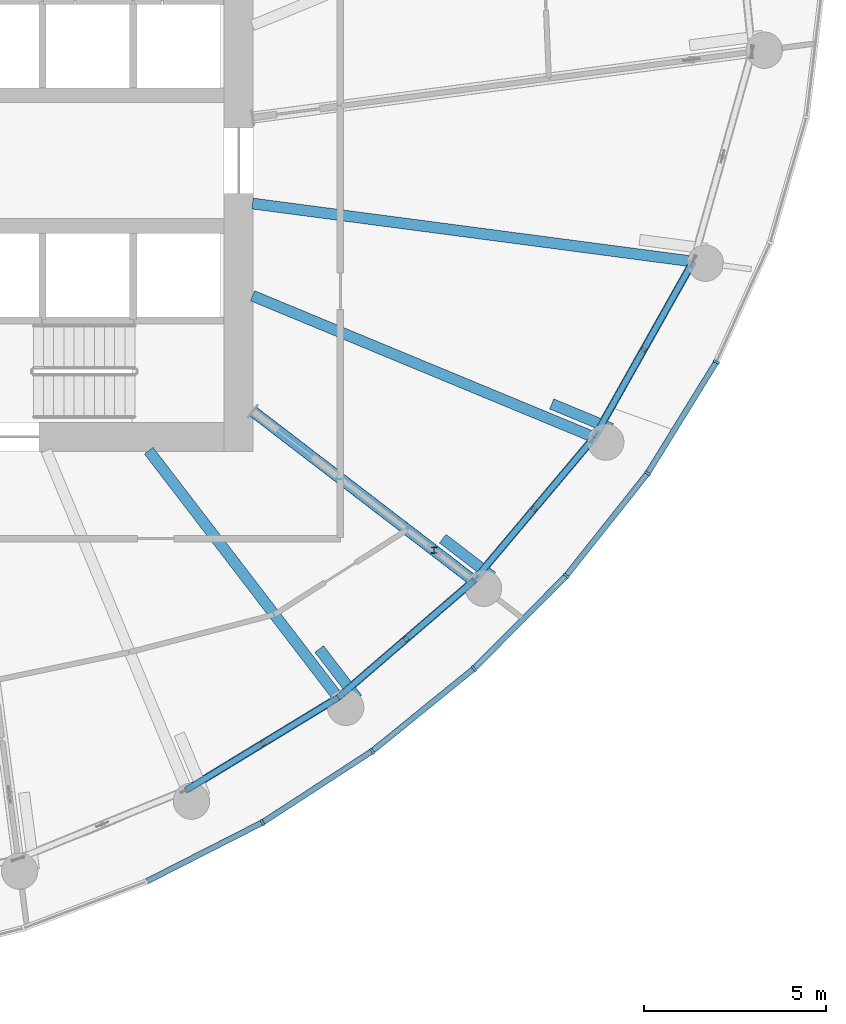
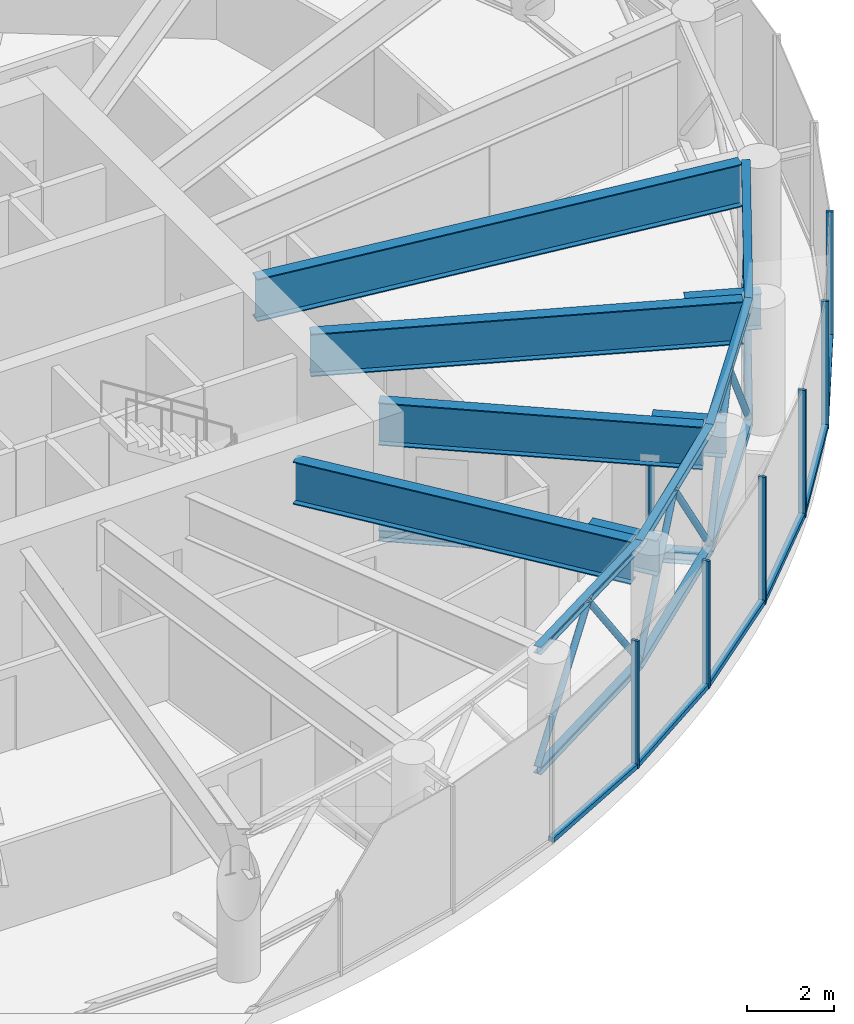
# One storey, part 6 of 25: 30 members, 7 beams, 2 elements without a shape of their own.
"""IFC4 building model written with IfcOpenShell, lengths in metres."""

from ifc_helpers import new_model, si_unit, direction, frame, origin, origin_2d, place, context, subcontext, project, spatial, rectangle, hollow_circle, i_section, extrude, source, transform, mapped, material, layer, layer_set, material_profile, profile_set, type_object, element, aggregate, save


model = new_model("IFC4")

# Units and contexts
model_context = context("Model", 3, precision=1e-05, world=origin(), true_north=direction((0.0, 1.0)))
body_context = subcontext(model_context, "Body", "Model", "MODEL_VIEW")
ifc_project = project(units=[si_unit("LENGTHUNIT", "METRE"), si_unit("AREAUNIT", "SQUARE_METRE"), si_unit("VOLUMEUNIT", "CUBIC_METRE"), si_unit("PLANEANGLEUNIT", "RADIAN"), si_unit("MASSUNIT", "GRAM", prefix="KILO")], contexts=[model_context])

# Site, building, storey
site_placement = place(None, origin())
site = spatial("IfcSite", under=ifc_project, at=site_placement, CompositionType="ELEMENT")
building_placement = place(site_placement, origin())
building = spatial("IfcBuilding", under=site, at=building_placement, Name="Spindrift Exchange Tower", CompositionType="ELEMENT")
storey_placement = place(building_placement, frame((0.0, 0.0, 179.89990234375)))
storey = spatial("IfcBuildingStorey", under=building, at=storey_placement, Name="L43", CompositionType="ELEMENT", Elevation=179.89990234375)

# Beams
ifc_material_1 = material(Name="Steel Grade 300", Category="steel")
ifc_material_profile_1 = material_profile(ifc_material_1, i_section(OverallWidth=0.300048828125, OverallDepth=1.199951171875, WebThickness=0.011962890625, FlangeThickness=0.028076171875, at=origin_2d()), Name="1200WB249")
ifc_profile_set_1 = profile_set([ifc_material_profile_1], Name="Steel Grade 300")
beam_type_1 = type_object("IfcBeamType", Name="Transfer Girder 1200WB249 Steel Grade 300", PredefinedType="BEAM", material=ifc_profile_set_1)
shared_shape_1 = source(origin(), body_context, "Body", "SweptSolid", [
    extrude(i_section(OverallWidth=0.300048828125, OverallDepth=1.199951171875, WebThickness=0.011962890625, FlangeThickness=0.028076171875, at=origin_2d()), origin(), (0.0, 0.0, 1.0), 8.419189453125),
])
beam_1_placement = place(storey_placement, frame((58.12646484375, 40.015869140625, 2.97998046875), z_axis=(0.608755970582, -0.79335752866, 0.0), x_axis=(0.79335752866, 0.608755970582, 0.0)))
element("IfcBeam", 1, at=beam_1_placement, inside=storey, type_object=beam_type_1, Name="L43 radial beam R21A", PredefinedType="BEAM", context=body_context, shape_type="MappedRepresentation", body=[
    mapped(shared_shape_1, transform((0.0, 0.0, 0.0), scale=1.0)),
])
shared_shape_2 = source(origin(), body_context, "Body", "SweptSolid", [
    extrude(i_section(OverallWidth=0.300048828125, OverallDepth=1.199951171875, WebThickness=0.011962890625, FlangeThickness=0.028076171875, at=origin_2d()), origin(), (0.0, 0.0, 1.0), 10.03857421875),
])
beam_2_placement = place(storey_placement, frame((60.9814453125, 44.27978515625, 2.97998046875), z_axis=(0.923880777638, -0.382680426349, 0.0), x_axis=(0.382680426349, 0.923880777638, 0.0)))
element("IfcBeam", 2, at=beam_2_placement, inside=storey, type_object=beam_type_1, Name="L43 radial beam R23A", PredefinedType="BEAM", context=body_context, shape_type="MappedRepresentation", body=[
    mapped(shared_shape_2, transform((0.0, 0.0, 0.0), scale=1.0)),
])
shared_shape_3 = source(origin(), body_context, "Body", "SweptSolid", [
    extrude(i_section(OverallWidth=0.300048828125, OverallDepth=1.199951171875, WebThickness=0.011962890625, FlangeThickness=0.028076171875, at=origin_2d()), origin(), (0.0, 0.0, 1.0), 12.088134765625),
])
beam_3_placement = place(storey_placement, frame((60.980224609375, 46.817626953125, 2.97998046875), z_axis=(0.991447007302, -0.130509891244, 0.0), x_axis=(0.130509891244, 0.991447007302, 0.0)))
element("IfcBeam", 3, at=beam_3_placement, inside=storey, type_object=beam_type_1, Name="L43 radial beam R24A", PredefinedType="BEAM", context=body_context, shape_type="MappedRepresentation", body=[
    mapped(shared_shape_3, transform((0.0, 0.0, 0.0), scale=1.0)),
])

# Member
ifc_material_profile_2 = material_profile(ifc_material_1, i_section(OverallWidth=0.154052734375, OverallDepth=0.162109375, WebThickness=0.008056640625, FlangeThickness=0.011474609375, FilletRadius=0.008056640625, at=origin_2d()), Name="150UC37.2")
ifc_profile_set_2 = profile_set([ifc_material_profile_2], Name="Steel Grade 300")
member_type_1 = type_object("IfcMemberType", Name="Outrigger Truss Post 150UC37.2 Steel Grade 300", PredefinedType="POST", material=ifc_profile_set_2)
shared_shape_4 = source(origin(), body_context, "Body", "SweptSolid", [
    extrude(i_section(OverallWidth=0.154052734375, OverallDepth=0.162109375, WebThickness=0.008056640625, FlangeThickness=0.011474609375, FilletRadius=0.008056640625, at=origin_2d()), origin(), (0.0, 0.0, 1.0), 2.380126953125),
])
member_1_placement = place(storey_placement, frame((65.970947265625, 37.27978515625, 0.0), z_axis=(0.0, 0.0, 1.0), x_axis=(1.0, 0.0, 0.0)))
element("IfcMember", 4, at=member_1_placement, inside=storey, type_object=member_type_1, Name="L43 outrigger truss 22 post 1", PredefinedType="POST", context=body_context, shape_type="MappedRepresentation", body=[
    mapped(shared_shape_4, transform((0.0, 0.0, 0.0), scale=1.0)),
])

# Beam
ifc_material_profile_3 = material_profile(ifc_material_1, i_section(OverallWidth=0.300048828125, OverallDepth=1.199951171875, WebThickness=0.011962890625, FlangeThickness=0.028076171875, at=origin_2d()), Name="1200WB249")
ifc_profile_set_3 = profile_set([ifc_material_profile_3], Name="Steel Grade 300")
beam_type_2 = type_object("IfcBeamType", Name="Outrigger Truss Transfer Girder 1200WB249 Steel Grade 300", PredefinedType="BEAM", material=ifc_profile_set_3)
shared_shape_5 = source(origin(), body_context, "Body", "SweptSolid", [
    extrude(i_section(OverallWidth=0.300048828125, OverallDepth=1.199951171875, WebThickness=0.011962890625, FlangeThickness=0.028076171875, at=origin_2d()), origin(), (0.0, 0.0, 1.0), 7.52685546875),
])
beam_4_placement = place(storey_placement, frame((60.984130859375, 41.106201171875, 2.97998046875), z_axis=(0.793354136078, -0.608760391918, 0.0), x_axis=(0.608760391918, 0.793354136078, 0.0)))
element("IfcBeam", 5, at=beam_4_placement, inside=storey, type_object=beam_type_2, Name="L43 outrigger truss 22 top chord 1", PredefinedType="BEAM", context=body_context, shape_type="MappedRepresentation", body=[
    mapped(shared_shape_5, transform((0.0, 0.0, 0.0), scale=1.0)),
])

# Members
ifc_material_profile_4 = material_profile(ifc_material_1, i_section(OverallWidth=0.306884765625, OverallDepth=0.31396484375, WebThickness=0.011962890625, FlangeThickness=0.018798828125, FilletRadius=0.0166015625, at=origin_2d()), Name="310UC118")
ifc_profile_set_4 = profile_set([ifc_material_profile_4], Name="Steel Grade 300")
member_type_2 = type_object("IfcMemberType", Name="Outrigger Truss Chord 310UC118 Steel Grade 300", PredefinedType="CHORD", material=ifc_profile_set_4)
shared_shape_6 = source(origin(), body_context, "Body", "SweptSolid", [
    extrude(i_section(OverallWidth=0.306884765625, OverallDepth=0.31396484375, WebThickness=0.011962890625, FlangeThickness=0.018798828125, FilletRadius=0.0166015625, at=origin_2d()), origin(), (0.0, 0.0, 1.0), 7.52685546875),
])
member_2_placement = place(storey_placement, frame((60.984130859375, 41.106201171875, -0.156982421875), z_axis=(0.793354136078, -0.608760391918, 0.0), x_axis=(0.608760391918, 0.793354136078, 0.0)))
element("IfcMember", 6, at=member_2_placement, inside=storey, type_object=member_type_2, Name="L43 outrigger truss 22 bottom chord 1", PredefinedType="CHORD", context=body_context, shape_type="MappedRepresentation", body=[
    mapped(shared_shape_6, transform((0.0, 0.0, 0.0), scale=1.0)),
])
ifc_material_profile_5 = material_profile(ifc_material_1, i_section(OverallWidth=0.205078125, OverallDepth=0.2099609375, WebThickness=0.00927734375, FlangeThickness=0.01416015625, FilletRadius=0.012939453125, at=origin_2d()), Name="200UC59.5")
ifc_profile_set_5 = profile_set([ifc_material_profile_5], Name="Steel Grade 300")
member_type_3 = type_object("IfcMemberType", Name="Belt Truss Chord 200UC59.5 Steel Grade 300", PredefinedType="CHORD", material=ifc_profile_set_5)
shared_shape_7 = source(origin(), body_context, "Body", "SweptSolid", [
    extrude(i_section(OverallWidth=0.205078125, OverallDepth=0.2099609375, WebThickness=0.00927734375, FlangeThickness=0.01416015625, FilletRadius=0.012939453125, at=origin_2d()), origin(), (0.0, 0.0, 1.0), 4.8779296875),
])
for number, where, z_axis, x_axis, name in (
    (7, (59.170654296875, 30.688232421875, 3.47509765625), (0.85409609272, 0.520115241462, 0.0), (-0.520115241462, 0.85409609272, 0.0), "L43 belt truss 20 top chord"),
    (8, (59.170654296875, 30.688232421875, 0.10498046875), (0.85409609272, 0.520115241462, 0.0), (-0.520115241462, 0.85409609272, 0.0), "L43 belt truss 20 bottom chord"),
):
    element("IfcMember", number, at=place(storey_placement, frame(where, z_axis=z_axis, x_axis=x_axis)), inside=storey, type_object=member_type_3, Name=name, PredefinedType="CHORD", context=body_context, shape_type="MappedRepresentation", body=[
        mapped(shared_shape_7, transform((0.0, 0.0, 0.0), scale=1.0)),
    ])
ifc_material_2 = material(Name="Steel Grade 350", Category="steel")
ifc_material_profile_6 = material_profile(ifc_material_2, hollow_circle(Radius=0.084228515625, WallThickness=0.007080078125, at=origin_2d()), Name="168.3x7.1CHS")
ifc_profile_set_6 = profile_set([ifc_material_profile_6], Name="Steel Grade 350")
member_type_4 = type_object("IfcMemberType", Name="Belt Truss Diagonal 168.3x7.1CHS Steel Grade 350", PredefinedType="BRACE", material=ifc_profile_set_6)
shared_shape_8 = source(origin(), body_context, "Body", "SweptSolid", [
    extrude(hollow_circle(Radius=0.084228515625, WallThickness=0.007080078125, at=origin_2d()), origin(), (0.0, 0.0, 1.0), 3.99169921875),
])
for number, where, z_axis, x_axis, name in (
    (9, (59.170654296875, 30.688232421875, 0.210205078125), (0.521886991367, 0.317792664613, 0.791607093551), (-0.520093008791, 0.854109631257, 0.0), "L43 belt truss 20 diagonal 1"),
    (10, (61.25390625, 31.956787109375, 3.3701171875), (0.5218424864, 0.317802808173, -0.791632360698), (-0.520137475681, 0.854082552446, 0.0), "L43 belt truss 20 diagonal 2"),
):
    element("IfcMember", number, at=place(storey_placement, frame(where, z_axis=z_axis, x_axis=x_axis)), inside=storey, type_object=member_type_4, Name=name, PredefinedType="BRACE", context=body_context, shape_type="MappedRepresentation", body=[
        mapped(shared_shape_8, transform((0.0, 0.0, 0.0), scale=1.0)),
    ])
shared_shape_9 = source(origin(), body_context, "Body", "SweptSolid", [
    extrude(i_section(OverallWidth=0.205078125, OverallDepth=0.2099609375, WebThickness=0.00927734375, FlangeThickness=0.01416015625, FilletRadius=0.012939453125, at=origin_2d()), origin(), (0.0, 0.0, 1.0), 4.92333984375),
])
for number, where, z_axis, x_axis, name in (
    (11, (63.3369140625, 33.225341796875, 3.47509765625), (0.757577377055, 0.652745369783, 0.0), (-0.652745369783, 0.757577377055, 0.0), "L43 belt truss 21 top chord"),
    (12, (63.3369140625, 33.225341796875, 0.10498046875), (0.757577377055, 0.652745369783, 0.0), (-0.652745369783, 0.757577377055, 0.0), "L43 belt truss 21 bottom chord"),
):
    element("IfcMember", number, at=place(storey_placement, frame(where, z_axis=z_axis, x_axis=x_axis)), inside=storey, type_object=member_type_3, Name=name, PredefinedType="CHORD", context=body_context, shape_type="MappedRepresentation", body=[
        mapped(shared_shape_9, transform((0.0, 0.0, 0.0), scale=1.0)),
    ])
shared_shape_10 = source(origin(), body_context, "Body", "SweptSolid", [
    extrude(hollow_circle(Radius=0.084228515625, WallThickness=0.007080078125, at=origin_2d()), origin(), (0.0, 0.0, 1.0), 4.005615234375),
])
for number, where, z_axis, x_axis, name in (
    (13, (63.3369140625, 33.225341796875, 0.210205078125), (0.465538738958, 0.401175174106, 0.788880321855), (-0.652798351204, 0.757531723867, 0.0), "L43 belt truss 21 diagonal 1"),
    (14, (65.20166015625, 34.832275390625, 3.3701171875), (0.465597861045, 0.401112648716, -0.78887722418), (-0.652692385721, 0.757623026064, 0.0), "L43 belt truss 21 diagonal 2"),
):
    element("IfcMember", number, at=place(storey_placement, frame(where, z_axis=z_axis, x_axis=x_axis)), inside=storey, type_object=member_type_4, Name=name, PredefinedType="BRACE", context=body_context, shape_type="MappedRepresentation", body=[
        mapped(shared_shape_10, transform((0.0, 0.0, 0.0), scale=1.0)),
    ])
shared_shape_11 = source(origin(), body_context, "Body", "SweptSolid", [
    extrude(i_section(OverallWidth=0.205078125, OverallDepth=0.2099609375, WebThickness=0.00927734375, FlangeThickness=0.01416015625, FilletRadius=0.012939453125, at=origin_2d()), origin(), (0.0, 0.0, 1.0), 5.155517578125),
])
for number, where, z_axis, x_axis, name in (
    (15, (67.066650390625, 36.43896484375, 3.47509765625), (0.643685040424, 0.765290512638, 0.0), (-0.765290512638, 0.643685040424, 0.0), "L43 belt truss 22 top chord"),
    (16, (67.066650390625, 36.43896484375, 0.10498046875), (0.643685040424, 0.765290512638, 0.0), (-0.765290512638, 0.643685040424, 0.0), "L43 belt truss 22 bottom chord"),
):
    element("IfcMember", number, at=place(storey_placement, frame(where, z_axis=z_axis, x_axis=x_axis)), inside=storey, type_object=member_type_3, Name=name, PredefinedType="CHORD", context=body_context, shape_type="MappedRepresentation", body=[
        mapped(shared_shape_11, transform((0.0, 0.0, 0.0), scale=1.0)),
    ])
shared_shape_12 = source(origin(), body_context, "Body", "SweptSolid", [
    extrude(hollow_circle(Radius=0.084228515625, WallThickness=0.007080078125, at=origin_2d()), origin(), (0.0, 0.0, 1.0), 4.078125),
])
member_3_placement = place(storey_placement, frame((67.066650390625, 36.43896484375, 0.210205078125), z_axis=(0.406859004728, 0.483788642909, 0.774864052118), x_axis=(-0.765333457899, 0.643633978454, 0.0)))
element("IfcMember", 17, at=member_3_placement, inside=storey, type_object=member_type_4, Name="L43 belt truss 22 diagonal 1", PredefinedType="BRACE", context=body_context, shape_type="MappedRepresentation", body=[
    mapped(shared_shape_12, transform((0.0, 0.0, 0.0), scale=1.0)),
])
shared_shape_13 = source(origin(), body_context, "Body", "SweptSolid", [
    extrude(hollow_circle(Radius=0.084228515625, WallThickness=0.007080078125, at=origin_2d()), origin(), (0.0, 0.0, 1.0), 4.077880859375),
])
member_4_placement = place(storey_placement, frame((68.725830078125, 38.411865234375, 3.3701171875), z_axis=(0.406920744802, 0.483731001619, -0.774867618063), x_axis=(-0.765247563476, 0.643736100117, 0.0)))
element("IfcMember", 18, at=member_4_placement, inside=storey, type_object=member_type_4, Name="L43 belt truss 22 diagonal 2", PredefinedType="BRACE", context=body_context, shape_type="MappedRepresentation", body=[
    mapped(shared_shape_13, transform((0.0, 0.0, 0.0), scale=1.0)),
])
shared_shape_14 = source(origin(), body_context, "Body", "SweptSolid", [
    extrude(i_section(OverallWidth=0.205078125, OverallDepth=0.2099609375, WebThickness=0.00927734375, FlangeThickness=0.01416015625, FilletRadius=0.012939453125, at=origin_2d()), origin(), (0.0, 0.0, 1.0), 5.548828125),
])
for number, where, z_axis, x_axis, name in (
    (19, (70.38525390625, 40.384521484375, 3.47509765625), (0.489966670127, 0.871741166956, 0.0), (-0.871741166956, 0.489966670127, 0.0), "L43 belt truss 23 top chord"),
    (20, (70.38525390625, 40.384521484375, 0.10498046875), (0.489966670127, 0.871741166956, 0.0), (-0.871741166956, 0.489966670127, 0.0), "L43 belt truss 23 bottom chord"),
):
    element("IfcMember", number, at=place(storey_placement, frame(where, z_axis=z_axis, x_axis=x_axis)), inside=storey, type_object=member_type_3, Name=name, PredefinedType="CHORD", context=body_context, shape_type="MappedRepresentation", body=[
        mapped(shared_shape_14, transform((0.0, 0.0, 0.0), scale=1.0)),
    ])
shared_shape_15 = source(origin(), body_context, "Body", "SweptSolid", [
    extrude(hollow_circle(Radius=0.084228515625, WallThickness=0.007080078125, at=origin_2d()), origin(), (0.0, 0.0, 1.0), 4.204833984375),
])
member_5_placement = place(storey_placement, frame((70.38525390625, 40.384521484375, 0.210205078125), z_axis=(0.323225200016, 0.575151577395, 0.751482623282), x_axis=(-0.871768190835, 0.489918586551, 0.0)))
element("IfcMember", 21, at=member_5_placement, inside=storey, type_object=member_type_4, Name="L43 belt truss 23 diagonal 1", PredefinedType="BRACE", context=body_context, shape_type="MappedRepresentation", body=[
    mapped(shared_shape_15, transform((0.0, 0.0, 0.0), scale=1.0)),
])
shared_shape_16 = source(origin(), body_context, "Body", "SweptSolid", [
    extrude(hollow_circle(Radius=0.084228515625, WallThickness=0.007080078125, at=origin_2d()), origin(), (0.0, 0.0, 1.0), 4.205322265625),
])
member_6_placement = place(storey_placement, frame((71.744384765625, 42.802978515625, 3.3701171875), z_axis=(0.32331838785, 0.575168839725, -0.751429321951), x_axis=(-0.871714144828, 0.490014744377, 0.0)))
element("IfcMember", 22, at=member_6_placement, inside=storey, type_object=member_type_4, Name="L43 belt truss 23 diagonal 2", PredefinedType="BRACE", context=body_context, shape_type="MappedRepresentation", body=[
    mapped(shared_shape_16, transform((0.0, 0.0, 0.0), scale=1.0)),
])

# Beams
ifc_material_profile_7 = material_profile(ifc_material_1, i_section(OverallWidth=0.300048828125, OverallDepth=1.0, WebThickness=0.010009765625, FlangeThickness=0.02001953125, at=origin_2d()), Name="1000WB215")
ifc_profile_set_7 = profile_set([ifc_material_profile_7], Name="Steel Grade 300")
beam_type_3 = type_object("IfcBeamType", Name="Transfer Tie Beam 1000WB215 Steel Grade 300", PredefinedType="BEAM", material=ifc_profile_set_7)
shared_shape_17 = source(origin(), body_context, "Body", "SweptSolid", [
    extrude(i_section(OverallWidth=0.300048828125, OverallDepth=1.0, WebThickness=0.010009765625, FlangeThickness=0.02001953125, at=origin_2d()), origin(), (0.0, 0.0, 1.0), 1.7158203125),
])
beam_5_placement = place(storey_placement, frame((63.861083984375, 33.19921875, 2.97998046875), z_axis=(-0.608706324362, 0.793395620534, 0.0), x_axis=(-0.793395620534, -0.608706324362, 0.0)))
element("IfcBeam", 23, at=beam_5_placement, inside=storey, type_object=beam_type_3, Name="L43 transfer tie beam K21", PredefinedType="BEAM", context=body_context, shape_type="MappedRepresentation", body=[
    mapped(shared_shape_17, transform((0.0, 0.0, 0.0), scale=1.0)),
])
shared_shape_18 = source(origin(), body_context, "Body", "SweptSolid", [
    extrude(i_section(OverallWidth=0.300048828125, OverallDepth=1.0, WebThickness=0.010009765625, FlangeThickness=0.02001953125, at=origin_2d()), origin(), (0.0, 0.0, 1.0), 1.720947265625),
])
beam_6_placement = place(storey_placement, frame((67.579833984375, 36.54931640625, 2.97998046875), z_axis=(-0.79334597562, 0.608771026714, 0.0), x_axis=(-0.608771026714, -0.79334597562, 0.0)))
element("IfcBeam", 24, at=beam_6_placement, inside=storey, type_object=beam_type_3, Name="L43 transfer tie beam K22", PredefinedType="BEAM", context=body_context, shape_type="MappedRepresentation", body=[
    mapped(shared_shape_18, transform((0.0, 0.0, 0.0), scale=1.0)),
])
shared_shape_19 = source(origin(), body_context, "Body", "SweptSolid", [
    extrude(i_section(OverallWidth=0.300048828125, OverallDepth=1.0, WebThickness=0.010009765625, FlangeThickness=0.02001953125, at=origin_2d()), origin(), (0.0, 0.0, 1.0), 1.775146484375),
])
beam_7_placement = place(storey_placement, frame((70.852294921875, 40.6240234375, 2.97998046875), z_axis=(-0.923844152273, 0.38276883665, 0.0), x_axis=(-0.38276883665, -0.923844152273, 0.0)))
element("IfcBeam", 25, at=beam_7_placement, inside=storey, type_object=beam_type_3, Name="L43 transfer tie beam K23", PredefinedType="BEAM", context=body_context, shape_type="MappedRepresentation", body=[
    mapped(shared_shape_19, transform((0.0, 0.0, 0.0), scale=1.0)),
])

# Curtain wall, members
ifc_material_3 = material(Name="Fritted laminated glass with bronze frame", Category="glass")
ifc_layer = layer(ifc_material_3, 0.179931640625)
ifc_layer_set = layer_set([ifc_layer], Name="ZONE 3 BRONZE FRITTED WALL")
curtain_wall_type = type_object("IfcCurtainWallType", Name="ZONE 3 BRONZE FRITTED WALL", PredefinedType="NOTDEFINED", material=ifc_layer_set)
curtain_wall_1_placement = place(storey_placement, origin())
curtain_wall_1 = element("IfcCurtainWall", 26, at=curtain_wall_1_placement, inside=storey, type_object=curtain_wall_type, Name="L43 Zone 3 Bronze Fritted Wall run 6", PredefinedType="NOTDEFINED")
ifc_material_4 = material(Name="Bronze anodised aluminium", Category="aluminium")
ifc_material_profile_8 = material_profile(ifc_material_4, rectangle(XDim=0.159912109375, YDim=0.1298828125, at=origin_2d()), Name="ZONE 3 BRONZE FRITTED WALL TRANSOM 160X130")
ifc_profile_set_8 = profile_set([ifc_material_profile_8], Name="Bronze anodised aluminium")
member_type_5 = type_object("IfcMemberType", Name="ZONE 3 BRONZE FRITTED WALL TRANSOM 160X130", PredefinedType="USERDEFINED", material=ifc_profile_set_8)
shared_shape_20 = source(origin(), body_context, "Body", "SweptSolid", [
    extrude(rectangle(XDim=0.159912109375, YDim=0.1298828125, at=origin_2d()), origin(), (0.0, 0.0, 1.0), 3.53076171875),
])
member_7_placement = place(storey_placement, frame((61.286376953125, 29.80908203125, 0.065185546875), z_axis=(0.838336173301, 0.54515361187, 0.0), x_axis=(-0.54515361187, 0.838336173301, 0.0)))
member_7 = element("IfcMember", 27, at=member_7_placement, type_object=member_type_5, Name="L43 transom CW-3.31", ObjectType="TRANSOM", PredefinedType="USERDEFINED", context=body_context, shape_type="MappedRepresentation", body=[
    mapped(shared_shape_20, transform((0.0, 0.0, 0.0), scale=1.0)),
])
member_8_placement = place(storey_placement, frame((64.302978515625, 31.775146484375, 0.065185546875), z_axis=(0.776560071465, 0.630043217094, 0.0), x_axis=(-0.630043217094, 0.776560071465, 0.0)))
member_8 = element("IfcMember", 28, at=member_8_placement, type_object=member_type_5, Name="L43 transom CW-3.32", ObjectType="TRANSOM", PredefinedType="USERDEFINED", context=body_context, shape_type="MappedRepresentation", body=[
    mapped(shared_shape_20, transform((0.0, 0.0, 0.0), scale=1.0)),
])
shared_shape_21 = source(origin(), body_context, "Body", "SweptSolid", [
    extrude(rectangle(XDim=0.159912109375, YDim=0.1298828125, at=origin_2d()), origin(), (0.0, 0.0, 1.0), 3.531005859375),
])
member_9_placement = place(storey_placement, frame((67.0966796875, 34.046630859375, 0.065185546875), z_axis=(0.704994736836, 0.709212535869, 0.0), x_axis=(-0.709212535869, 0.704994736836, 0.0)))
member_9 = element("IfcMember", 29, at=member_9_placement, type_object=member_type_5, Name="L43 transom CW-3.33", ObjectType="TRANSOM", PredefinedType="USERDEFINED", context=body_context, shape_type="MappedRepresentation", body=[
    mapped(shared_shape_21, transform((0.0, 0.0, 0.0), scale=1.0)),
])
shared_shape_22 = source(origin(), body_context, "Body", "SweptSolid", [
    extrude(rectangle(XDim=0.159912109375, YDim=0.1298828125, at=origin_2d()), origin(), (0.0, 0.0, 1.0), 3.5302734375),
])
member_10_placement = place(storey_placement, frame((71.8681640625, 39.4248046875, 0.065185546875), z_axis=(0.525185121826, 0.850988006856, 0.0), x_axis=(-0.850988006856, 0.525185121826, 0.0)))
member_10 = element("IfcMember", 30, at=member_10_placement, type_object=member_type_5, Name="L43 transom CW-3.35", ObjectType="TRANSOM", PredefinedType="USERDEFINED", context=body_context, shape_type="MappedRepresentation", body=[
    mapped(shared_shape_22, transform((0.0, 0.0, 0.0), scale=1.0)),
])

# Curtain wall, member
curtain_wall_2_placement = place(storey_placement, origin())
curtain_wall_2 = element("IfcCurtainWall", 31, at=curtain_wall_2_placement, inside=storey, type_object=curtain_wall_type, Name="L43 Zone 3 Bronze Fritted Wall run 5", PredefinedType="NOTDEFINED")
shared_shape_23 = source(origin(), body_context, "Body", "SweptSolid", [
    extrude(rectangle(XDim=0.159912109375, YDim=0.1298828125, at=origin_2d()), origin(), (0.0, 0.0, 1.0), 3.530517578125),
])
member_11_placement = place(storey_placement, frame((58.07958984375, 28.171875, 0.065185546875), z_axis=(0.891125497127, 0.453756926526, 0.0), x_axis=(-0.453756926526, 0.891125497127, 0.0)))
member_11 = element("IfcMember", 32, at=member_11_placement, type_object=member_type_5, Name="L43 transom CW-3.30", ObjectType="TRANSOM", PredefinedType="USERDEFINED", context=body_context, shape_type="MappedRepresentation", body=[
    mapped(shared_shape_23, transform((0.0, 0.0, 0.0), scale=1.0)),
])
aggregate(curtain_wall_2, [member_11])

# Member
member_12_placement = place(storey_placement, frame((69.63232421875, 36.60302734375, 0.065185546875), z_axis=(0.621942011309, 0.783063301764, 0.0), x_axis=(-0.783063301764, 0.621942011309, 0.0)))
member_12 = element("IfcMember", 33, at=member_12_placement, type_object=member_type_5, Name="L43 transom CW-3.34", ObjectType="TRANSOM", PredefinedType="USERDEFINED", context=body_context, shape_type="MappedRepresentation", body=[
    mapped(shared_shape_23, transform((0.0, 0.0, 0.0), scale=1.0)),
])

ifc_material_profile_9 = material_profile(ifc_material_4, rectangle(XDim=0.070068359375, YDim=0.179931640625, at=origin_2d()), Name="ZONE 3 BRONZE FRITTED WALL MULLION 70X180")
ifc_profile_set_9 = profile_set([ifc_material_profile_9], Name="Bronze anodised aluminium")
member_type_6 = type_object("IfcMemberType", Name="ZONE 3 BRONZE FRITTED WALL MULLION 70X180", PredefinedType="MULLION", material=ifc_profile_set_9)
shared_shape_24 = source(origin(), body_context, "Body", "SweptSolid", [
    extrude(rectangle(XDim=0.070068359375, YDim=0.179931640625, at=origin_2d()), origin(), (0.0, 0.0, 1.0), 3.580078125),
])
member_13_placement = place(storey_placement, frame((61.257080078125, 29.789794921875, 0.0), z_axis=(0.0, 0.0, 1.0), x_axis=(0.865922795102, 0.500177681352, 0.0)))
member_13 = element("IfcMember", 34, at=member_13_placement, type_object=member_type_6, Name="L43 mullion CW-3.31", PredefinedType="MULLION", context=body_context, shape_type="MappedRepresentation", body=[
    mapped(shared_shape_24, transform((0.0, 0.0, 0.0), scale=1.0)),
])

member_14_placement = place(storey_placement, frame((64.275634765625, 31.7529296875, 0.0), z_axis=(0.0, 0.0, 1.0), x_axis=(0.808556853678, 0.58841806088, 0.0)))
member_14 = element("IfcMember", 35, at=member_14_placement, type_object=member_type_6, Name="L43 mullion CW-3.32", PredefinedType="MULLION", context=body_context, shape_type="MappedRepresentation", body=[
    mapped(shared_shape_24, transform((0.0, 0.0, 0.0), scale=1.0)),
])

member_15_placement = place(storey_placement, frame((67.072021484375, 34.021728515625, 0.0), z_axis=(0.0, 0.0, 1.0), x_axis=(0.741827625994, 0.670590615288, 0.0)))
member_15 = element("IfcMember", 36, at=member_15_placement, type_object=member_type_6, Name="L43 mullion CW-3.33", PredefinedType="MULLION", context=body_context, shape_type="MappedRepresentation", body=[
    mapped(shared_shape_24, transform((0.0, 0.0, 0.0), scale=1.0)),
])

member_16_placement = place(storey_placement, frame((69.610595703125, 36.575439453125, 0.0), z_axis=(0.0, 0.0, 1.0), x_axis=(0.664489614323, 0.747297499298, 0.0)))
member_16 = element("IfcMember", 37, at=member_16_placement, type_object=member_type_6, Name="L43 mullion CW-3.34", PredefinedType="MULLION", context=body_context, shape_type="MappedRepresentation", body=[
    mapped(shared_shape_24, transform((0.0, 0.0, 0.0), scale=1.0)),
])

member_17_placement = place(storey_placement, frame((71.849853515625, 39.39501953125, 0.0), z_axis=(0.0, 0.0, 1.0), x_axis=(0.574559927776, 0.818462515571, 0.0)))
member_17 = element("IfcMember", 38, at=member_17_placement, type_object=member_type_6, Name="L43 mullion CW-3.35", PredefinedType="MULLION", context=body_context, shape_type="MappedRepresentation", body=[
    mapped(shared_shape_24, transform((0.0, 0.0, 0.0), scale=1.0)),
])

member_18_placement = place(storey_placement, frame((73.740478515625, 42.458740234375, 0.0), z_axis=(0.0, 0.0, 1.0), x_axis=(0.469340022906, 0.883017521286, 0.0)))
member_18 = element("IfcMember", 39, at=member_18_placement, type_object=member_type_6, Name="L43 mullion CW-3.36", PredefinedType="MULLION", context=body_context, shape_type="MappedRepresentation", body=[
    mapped(shared_shape_24, transform((0.0, 0.0, 0.0), scale=1.0)),
])

aggregate(curtain_wall_1, [member_13, member_7, member_14, member_8, member_15, member_9, member_16, member_12, member_17, member_10, member_18])

save(model, "model.ifc")
